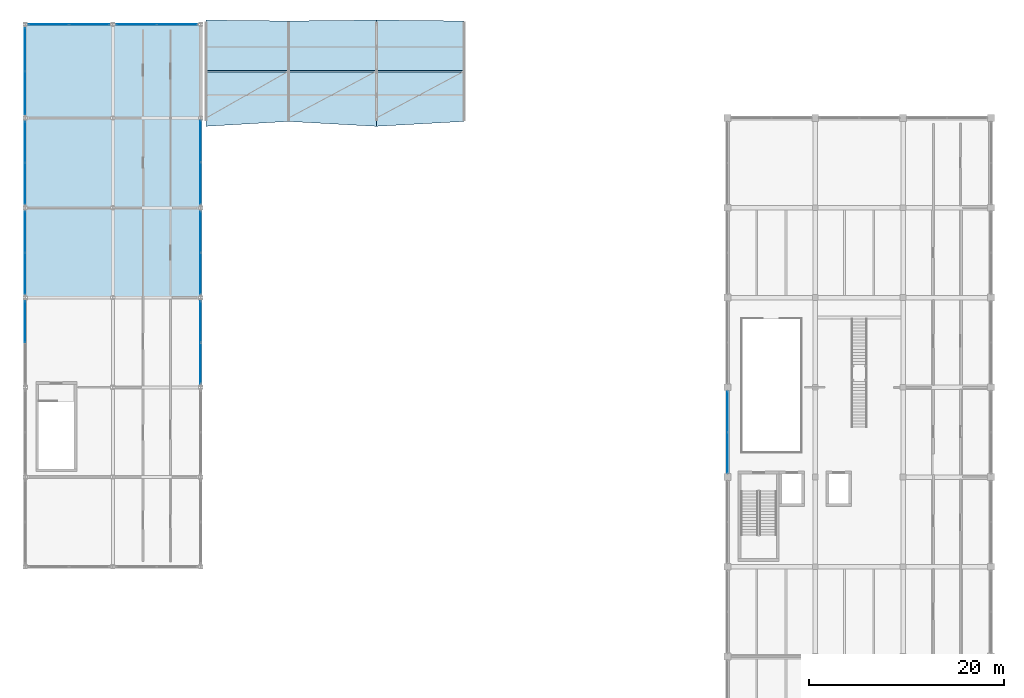
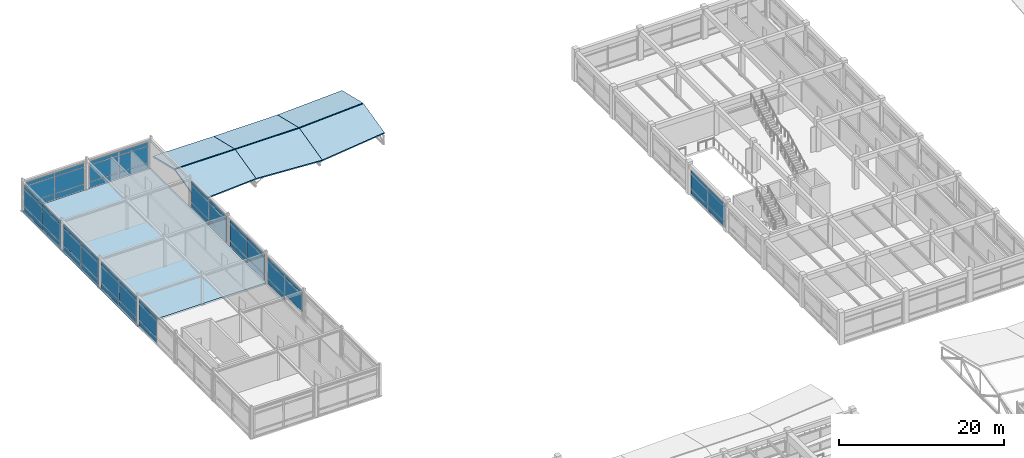
# One storey, part 56 of 90: 56 plates, 7 slabs, 10 elements without a shape of their own.
"""IFC4 building model written with IfcOpenShell, lengths in metres."""

from ifc_helpers import new_model, si_unit, direction, frame, origin, origin_2d, place, context, subcontext, project, spatial, polyline, rectangle, outline, extrude, material, layer, layer_set, type_object, element, aggregate, save


model = new_model("IFC4")

# Units and contexts
model_context = context("Model", 3, precision=1e-05, world=origin(), true_north=direction((0.0, 1.0)))
body_context = subcontext(model_context, "Body", "Model", "MODEL_VIEW")
ifc_project = project(units=[si_unit("LENGTHUNIT", "METRE"), si_unit("AREAUNIT", "SQUARE_METRE"), si_unit("VOLUMEUNIT", "CUBIC_METRE"), si_unit("PLANEANGLEUNIT", "RADIAN"), si_unit("MASSUNIT", "GRAM", prefix="KILO")], contexts=[model_context])

# Site, building, storey
site_placement = place(None, origin())
site = spatial("IfcSite", under=ifc_project, at=site_placement, CompositionType="ELEMENT")
building_placement = place(site_placement, origin())
building = spatial("IfcBuilding", under=site, at=building_placement, Name="Bozkorgan Art Gallery", CompositionType="ELEMENT")
storey_placement = place(building_placement, frame((0.0, 0.0, 5.39990234375)))
storey = spatial("IfcBuildingStorey", under=building, at=storey_placement, Name="L01", CompositionType="ELEMENT", Elevation=5.39990234375)

# Curtain wall, plates
ifc_material_1 = material(Name="Anodised Bronze Aluminium", Category="aluminium")
curtain_wall_type_1 = type_object("IfcCurtainWallType", Name="CW-CW-74", PredefinedType="NOTDEFINED", material=ifc_material_1)
curtain_wall_1_placement = place(storey_placement, origin())
curtain_wall_1 = element("IfcCurtainWall", 1, at=curtain_wall_1_placement, inside=storey, type_object=curtain_wall_type_1, Name="L01 unitised curtain wall CW-V2-L01-1N-02", PredefinedType="NOTDEFINED")
ifc_material_2 = material(Name="Triple Low-E Laminated Glass", Category="glass")
ifc_layer_1 = layer(ifc_material_2, 0.0439453125, Name="Triple Low-E Laminated Glass")
ifc_layer_set_1 = layer_set([ifc_layer_1], Name="Triple Low-E Laminated Glass")
plate_type = type_object("IfcPlateType", Name="CWP-GLZ", PredefinedType="CURTAIN_PANEL", material=ifc_layer_set_1)
plate_1_placement = place(storey_placement, frame((4.42626953125, 112.39990234375, 0.10009765625), z_axis=(0.0, 0.0, 1.0), x_axis=(1.0, 0.0, 0.0)))
plate_1 = element("IfcPlate", 2, at=plate_1_placement, type_object=plate_type, Name="CW-74 panel 1.1", PredefinedType="CURTAIN_PANEL", context=body_context, shape_type="SweptSolid", body=[
    extrude(rectangle(XDim=4.072509765625, YDim=0.0439453125, at=origin_2d()), origin(), (0.0, 0.0, 1.0), 0.780029296875),
])
plate_2_placement = place(storey_placement, frame((4.42626953125, 112.39990234375, 0.9599609375), z_axis=(0.0, 0.0, 1.0), x_axis=(1.0, 0.0, 0.0)))
plate_2 = element("IfcPlate", 3, at=plate_2_placement, type_object=plate_type, Name="CW-74 panel 1.2", PredefinedType="CURTAIN_PANEL", context=body_context, shape_type="SweptSolid", body=[
    extrude(rectangle(XDim=4.072509765625, YDim=0.0439453125, at=origin_2d()), origin(), (0.0, 0.0, 1.0), 2.445068359375),
])
plate_3_placement = place(storey_placement, frame((4.42626953125, 112.39990234375, 3.48486328125), z_axis=(0.0, 0.0, 1.0), x_axis=(1.0, 0.0, 0.0)))
plate_3 = element("IfcPlate", 4, at=plate_3_placement, type_object=plate_type, Name="CW-74 panel 1.3", PredefinedType="CURTAIN_PANEL", context=body_context, shape_type="SweptSolid", body=[
    extrude(rectangle(XDim=4.072509765625, YDim=0.0439453125, at=origin_2d()), origin(), (0.0, 0.0, 1.0), 0.530029296875),
])
plate_4_placement = place(storey_placement, frame((8.57373046875, 112.39990234375, 0.10009765625), z_axis=(0.0, 0.0, 1.0), x_axis=(1.0, 0.0, 0.0)))
plate_4 = element("IfcPlate", 5, at=plate_4_placement, type_object=plate_type, Name="CW-74 panel 2.1", PredefinedType="CURTAIN_PANEL", context=body_context, shape_type="SweptSolid", body=[
    extrude(rectangle(XDim=4.072509765625, YDim=0.0439453125, at=origin_2d()), origin(), (0.0, 0.0, 1.0), 0.780029296875),
])
plate_5_placement = place(storey_placement, frame((8.57373046875, 112.39990234375, 0.9599609375), z_axis=(0.0, 0.0, 1.0), x_axis=(1.0, 0.0, 0.0)))
plate_5 = element("IfcPlate", 6, at=plate_5_placement, type_object=plate_type, Name="CW-74 panel 2.2", PredefinedType="CURTAIN_PANEL", context=body_context, shape_type="SweptSolid", body=[
    extrude(rectangle(XDim=4.072509765625, YDim=0.0439453125, at=origin_2d()), origin(), (0.0, 0.0, 1.0), 2.445068359375),
])
plate_6_placement = place(storey_placement, frame((8.57373046875, 112.39990234375, 3.48486328125), z_axis=(0.0, 0.0, 1.0), x_axis=(1.0, 0.0, 0.0)))
plate_6 = element("IfcPlate", 7, at=plate_6_placement, type_object=plate_type, Name="CW-74 panel 2.3", PredefinedType="CURTAIN_PANEL", context=body_context, shape_type="SweptSolid", body=[
    extrude(rectangle(XDim=4.072509765625, YDim=0.0439453125, at=origin_2d()), origin(), (0.0, 0.0, 1.0), 0.530029296875),
])
aggregate(curtain_wall_1, [plate_1, plate_2, plate_3, plate_4, plate_5, plate_6])

curtain_wall_2_placement = place(storey_placement, origin())
curtain_wall_2 = element("IfcCurtainWall", 8, at=curtain_wall_2_placement, inside=storey, type_object=curtain_wall_type_1, Name="L01 unitised curtain wall CW-V2-L01-1N-04", PredefinedType="NOTDEFINED")
plate_7_placement = place(storey_placement, frame((13.42626953125, 112.39990234375, 0.10009765625), z_axis=(0.0, 0.0, 1.0), x_axis=(1.0, 0.0, 0.0)))
plate_7 = element("IfcPlate", 9, at=plate_7_placement, type_object=plate_type, Name="CW-74 panel 1.1", PredefinedType="CURTAIN_PANEL", context=body_context, shape_type="SweptSolid", body=[
    extrude(rectangle(XDim=4.072509765625, YDim=0.0439453125, at=origin_2d()), origin(), (0.0, 0.0, 1.0), 0.780029296875),
])
plate_8_placement = place(storey_placement, frame((13.42626953125, 112.39990234375, 0.9599609375), z_axis=(0.0, 0.0, 1.0), x_axis=(1.0, 0.0, 0.0)))
plate_8 = element("IfcPlate", 10, at=plate_8_placement, type_object=plate_type, Name="CW-74 panel 1.2", PredefinedType="CURTAIN_PANEL", context=body_context, shape_type="SweptSolid", body=[
    extrude(rectangle(XDim=4.072509765625, YDim=0.0439453125, at=origin_2d()), origin(), (0.0, 0.0, 1.0), 2.445068359375),
])
plate_9_placement = place(storey_placement, frame((13.42626953125, 112.39990234375, 3.48486328125), z_axis=(0.0, 0.0, 1.0), x_axis=(1.0, 0.0, 0.0)))
plate_9 = element("IfcPlate", 11, at=plate_9_placement, type_object=plate_type, Name="CW-74 panel 1.3", PredefinedType="CURTAIN_PANEL", context=body_context, shape_type="SweptSolid", body=[
    extrude(rectangle(XDim=4.072509765625, YDim=0.0439453125, at=origin_2d()), origin(), (0.0, 0.0, 1.0), 0.530029296875),
])
plate_10_placement = place(storey_placement, frame((17.57373046875, 112.39990234375, 0.10009765625), z_axis=(0.0, 0.0, 1.0), x_axis=(1.0, 0.0, 0.0)))
plate_10 = element("IfcPlate", 12, at=plate_10_placement, type_object=plate_type, Name="CW-74 panel 2.1", PredefinedType="CURTAIN_PANEL", context=body_context, shape_type="SweptSolid", body=[
    extrude(rectangle(XDim=4.072509765625, YDim=0.0439453125, at=origin_2d()), origin(), (0.0, 0.0, 1.0), 0.780029296875),
])
plate_11_placement = place(storey_placement, frame((17.57373046875, 112.39990234375, 0.9599609375), z_axis=(0.0, 0.0, 1.0), x_axis=(1.0, 0.0, 0.0)))
plate_11 = element("IfcPlate", 13, at=plate_11_placement, type_object=plate_type, Name="CW-74 panel 2.2", PredefinedType="CURTAIN_PANEL", context=body_context, shape_type="SweptSolid", body=[
    extrude(rectangle(XDim=4.072509765625, YDim=0.0439453125, at=origin_2d()), origin(), (0.0, 0.0, 1.0), 2.445068359375),
])
plate_12_placement = place(storey_placement, frame((17.57373046875, 112.39990234375, 3.48486328125), z_axis=(0.0, 0.0, 1.0), x_axis=(1.0, 0.0, 0.0)))
plate_12 = element("IfcPlate", 14, at=plate_12_placement, type_object=plate_type, Name="CW-74 panel 2.3", PredefinedType="CURTAIN_PANEL", context=body_context, shape_type="SweptSolid", body=[
    extrude(rectangle(XDim=4.072509765625, YDim=0.0439453125, at=origin_2d()), origin(), (0.0, 0.0, 1.0), 0.530029296875),
])
aggregate(curtain_wall_2, [plate_7, plate_8, plate_9, plate_10, plate_11, plate_12])

curtain_wall_type_2 = type_object("IfcCurtainWallType", Name="CW-CW-52", PredefinedType="NOTDEFINED", material=ifc_material_1)
curtain_wall_3_placement = place(storey_placement, origin())
curtain_wall_3 = element("IfcCurtainWall", 15, at=curtain_wall_3_placement, inside=storey, type_object=curtain_wall_type_2, Name="L01 unitised curtain wall CW-V2-L01-1W-09", PredefinedType="NOTDEFINED")
plate_13_placement = place(storey_placement, frame((2.0, 81.923828125, 0.10009765625), z_axis=(0.0, 0.0, 1.0), x_axis=(0.0, 1.0, 0.0)))
plate_13 = element("IfcPlate", 16, at=plate_13_placement, type_object=plate_type, Name="CW-52 panel 2.1", PredefinedType="CURTAIN_PANEL", context=body_context, shape_type="SweptSolid", body=[
    extrude(rectangle(XDim=4.172607421875, YDim=0.0439453125, at=origin_2d()), origin(), (0.0, 0.0, 1.0), 0.780029296875),
])
plate_14_placement = place(storey_placement, frame((2.0, 81.923828125, 0.9599609375), z_axis=(0.0, 0.0, 1.0), x_axis=(0.0, 1.0, 0.0)))
plate_14 = element("IfcPlate", 17, at=plate_14_placement, type_object=plate_type, Name="CW-52 panel 2.2", PredefinedType="CURTAIN_PANEL", context=body_context, shape_type="SweptSolid", body=[
    extrude(rectangle(XDim=4.172607421875, YDim=0.0439453125, at=origin_2d()), origin(), (0.0, 0.0, 1.0), 2.445068359375),
])
plate_15_placement = place(storey_placement, frame((2.0, 81.923828125, 3.48486328125), z_axis=(0.0, 0.0, 1.0), x_axis=(0.0, 1.0, 0.0)))
plate_15 = element("IfcPlate", 18, at=plate_15_placement, type_object=plate_type, Name="CW-52 panel 2.3", PredefinedType="CURTAIN_PANEL", context=body_context, shape_type="SweptSolid", body=[
    extrude(rectangle(XDim=4.172607421875, YDim=0.0439453125, at=origin_2d()), origin(), (0.0, 0.0, 1.0), 0.530029296875),
])
aggregate(curtain_wall_3, [plate_13, plate_14, plate_15])

curtain_wall_4_placement = place(storey_placement, origin())
curtain_wall_4 = element("IfcCurtainWall", 19, at=curtain_wall_4_placement, inside=storey, type_object=curtain_wall_type_2, Name="L01 unitised curtain wall CW-V2-L01-1E-10", PredefinedType="NOTDEFINED")
plate_16_placement = place(storey_placement, frame((20.0, 77.67626953125, 0.9599609375), z_axis=(0.0, 0.0, 1.0), x_axis=(0.0, 1.0, 0.0)))
plate_16 = element("IfcPlate", 20, at=plate_16_placement, type_object=plate_type, Name="CW-52 panel 1.2", PredefinedType="CURTAIN_PANEL", context=body_context, shape_type="SweptSolid", body=[
    extrude(rectangle(XDim=4.172607421875, YDim=0.0439453125, at=origin_2d()), origin(), (0.0, 0.0, 1.0), 2.445068359375),
])
plate_17_placement = place(storey_placement, frame((20.0, 77.67626953125, 3.48486328125), z_axis=(0.0, 0.0, 1.0), x_axis=(0.0, 1.0, 0.0)))
plate_17 = element("IfcPlate", 21, at=plate_17_placement, type_object=plate_type, Name="CW-52 panel 1.3", PredefinedType="CURTAIN_PANEL", context=body_context, shape_type="SweptSolid", body=[
    extrude(rectangle(XDim=4.172607421875, YDim=0.0439453125, at=origin_2d()), origin(), (0.0, 0.0, 1.0), 0.530029296875),
])
plate_18_placement = place(storey_placement, frame((20.0, 81.923828125, 0.10009765625), z_axis=(0.0, 0.0, 1.0), x_axis=(0.0, 1.0, 0.0)))
plate_18 = element("IfcPlate", 22, at=plate_18_placement, type_object=plate_type, Name="CW-52 panel 2.1", PredefinedType="CURTAIN_PANEL", context=body_context, shape_type="SweptSolid", body=[
    extrude(rectangle(XDim=4.172607421875, YDim=0.0439453125, at=origin_2d()), origin(), (0.0, 0.0, 1.0), 0.780029296875),
])
plate_19_placement = place(storey_placement, frame((20.0, 81.923828125, 0.9599609375), z_axis=(0.0, 0.0, 1.0), x_axis=(0.0, 1.0, 0.0)))
plate_19 = element("IfcPlate", 23, at=plate_19_placement, type_object=plate_type, Name="CW-52 panel 2.2", PredefinedType="CURTAIN_PANEL", context=body_context, shape_type="SweptSolid", body=[
    extrude(rectangle(XDim=4.172607421875, YDim=0.0439453125, at=origin_2d()), origin(), (0.0, 0.0, 1.0), 2.445068359375),
])
plate_20_placement = place(storey_placement, frame((20.0, 81.923828125, 3.48486328125), z_axis=(0.0, 0.0, 1.0), x_axis=(0.0, 1.0, 0.0)))
plate_20 = element("IfcPlate", 24, at=plate_20_placement, type_object=plate_type, Name="CW-52 panel 2.3", PredefinedType="CURTAIN_PANEL", context=body_context, shape_type="SweptSolid", body=[
    extrude(rectangle(XDim=4.172607421875, YDim=0.0439453125, at=origin_2d()), origin(), (0.0, 0.0, 1.0), 0.530029296875),
])
aggregate(curtain_wall_4, [plate_16, plate_17, plate_18, plate_19, plate_20])

curtain_wall_5_placement = place(storey_placement, origin())
curtain_wall_5 = element("IfcCurtainWall", 25, at=curtain_wall_5_placement, inside=storey, type_object=curtain_wall_type_2, Name="L01 unitised curtain wall CW-V2-L01-1W-11", PredefinedType="NOTDEFINED")
plate_21_placement = place(storey_placement, frame((2.0, 86.876220703125, 0.10009765625), z_axis=(0.0, 0.0, 1.0), x_axis=(0.0, 1.0, 0.0)))
plate_21 = element("IfcPlate", 26, at=plate_21_placement, type_object=plate_type, Name="CW-52 panel 1.1", PredefinedType="CURTAIN_PANEL", context=body_context, shape_type="SweptSolid", body=[
    extrude(rectangle(XDim=4.172607421875, YDim=0.0439453125, at=origin_2d()), origin(), (0.0, 0.0, 1.0), 0.780029296875),
])
plate_22_placement = place(storey_placement, frame((2.0, 86.876220703125, 0.9599609375), z_axis=(0.0, 0.0, 1.0), x_axis=(0.0, 1.0, 0.0)))
plate_22 = element("IfcPlate", 27, at=plate_22_placement, type_object=plate_type, Name="CW-52 panel 1.2", PredefinedType="CURTAIN_PANEL", context=body_context, shape_type="SweptSolid", body=[
    extrude(rectangle(XDim=4.172607421875, YDim=0.0439453125, at=origin_2d()), origin(), (0.0, 0.0, 1.0), 2.445068359375),
])
plate_23_placement = place(storey_placement, frame((2.0, 86.876220703125, 3.48486328125), z_axis=(0.0, 0.0, 1.0), x_axis=(0.0, 1.0, 0.0)))
plate_23 = element("IfcPlate", 28, at=plate_23_placement, type_object=plate_type, Name="CW-52 panel 1.3", PredefinedType="CURTAIN_PANEL", context=body_context, shape_type="SweptSolid", body=[
    extrude(rectangle(XDim=4.172607421875, YDim=0.0439453125, at=origin_2d()), origin(), (0.0, 0.0, 1.0), 0.530029296875),
])
plate_24_placement = place(storey_placement, frame((2.0, 91.123779296875, 0.10009765625), z_axis=(0.0, 0.0, 1.0), x_axis=(0.0, 1.0, 0.0)))
plate_24 = element("IfcPlate", 29, at=plate_24_placement, type_object=plate_type, Name="CW-52 panel 2.1", PredefinedType="CURTAIN_PANEL", context=body_context, shape_type="SweptSolid", body=[
    extrude(rectangle(XDim=4.172607421875, YDim=0.0439453125, at=origin_2d()), origin(), (0.0, 0.0, 1.0), 0.780029296875),
])
plate_25_placement = place(storey_placement, frame((2.0, 91.123779296875, 0.9599609375), z_axis=(0.0, 0.0, 1.0), x_axis=(0.0, 1.0, 0.0)))
plate_25 = element("IfcPlate", 30, at=plate_25_placement, type_object=plate_type, Name="CW-52 panel 2.2", PredefinedType="CURTAIN_PANEL", context=body_context, shape_type="SweptSolid", body=[
    extrude(rectangle(XDim=4.172607421875, YDim=0.0439453125, at=origin_2d()), origin(), (0.0, 0.0, 1.0), 2.445068359375),
])
plate_26_placement = place(storey_placement, frame((2.0, 91.123779296875, 3.48486328125), z_axis=(0.0, 0.0, 1.0), x_axis=(0.0, 1.0, 0.0)))
plate_26 = element("IfcPlate", 31, at=plate_26_placement, type_object=plate_type, Name="CW-52 panel 2.3", PredefinedType="CURTAIN_PANEL", context=body_context, shape_type="SweptSolid", body=[
    extrude(rectangle(XDim=4.172607421875, YDim=0.0439453125, at=origin_2d()), origin(), (0.0, 0.0, 1.0), 0.530029296875),
])
aggregate(curtain_wall_5, [plate_21, plate_22, plate_23, plate_24, plate_25, plate_26])

curtain_wall_6_placement = place(storey_placement, origin())
curtain_wall_6 = element("IfcCurtainWall", 32, at=curtain_wall_6_placement, inside=storey, type_object=curtain_wall_type_2, Name="L01 unitised curtain wall CW-V2-L01-1E-12", PredefinedType="NOTDEFINED")
plate_27_placement = place(storey_placement, frame((20.0, 86.876220703125, 0.10009765625), z_axis=(0.0, 0.0, 1.0), x_axis=(0.0, 1.0, 0.0)))
plate_27 = element("IfcPlate", 33, at=plate_27_placement, type_object=plate_type, Name="CW-52 panel 1.1", PredefinedType="CURTAIN_PANEL", context=body_context, shape_type="SweptSolid", body=[
    extrude(rectangle(XDim=4.172607421875, YDim=0.0439453125, at=origin_2d()), origin(), (0.0, 0.0, 1.0), 0.780029296875),
])
plate_28_placement = place(storey_placement, frame((20.0, 86.876220703125, 0.9599609375), z_axis=(0.0, 0.0, 1.0), x_axis=(0.0, 1.0, 0.0)))
plate_28 = element("IfcPlate", 34, at=plate_28_placement, type_object=plate_type, Name="CW-52 panel 1.2", PredefinedType="CURTAIN_PANEL", context=body_context, shape_type="SweptSolid", body=[
    extrude(rectangle(XDim=4.172607421875, YDim=0.0439453125, at=origin_2d()), origin(), (0.0, 0.0, 1.0), 2.445068359375),
])
plate_29_placement = place(storey_placement, frame((20.0, 86.876220703125, 3.48486328125), z_axis=(0.0, 0.0, 1.0), x_axis=(0.0, 1.0, 0.0)))
plate_29 = element("IfcPlate", 35, at=plate_29_placement, type_object=plate_type, Name="CW-52 panel 1.3", PredefinedType="CURTAIN_PANEL", context=body_context, shape_type="SweptSolid", body=[
    extrude(rectangle(XDim=4.172607421875, YDim=0.0439453125, at=origin_2d()), origin(), (0.0, 0.0, 1.0), 0.530029296875),
])
plate_30_placement = place(storey_placement, frame((20.0, 91.123779296875, 0.10009765625), z_axis=(0.0, 0.0, 1.0), x_axis=(0.0, 1.0, 0.0)))
plate_30 = element("IfcPlate", 36, at=plate_30_placement, type_object=plate_type, Name="CW-52 panel 2.1", PredefinedType="CURTAIN_PANEL", context=body_context, shape_type="SweptSolid", body=[
    extrude(rectangle(XDim=4.172607421875, YDim=0.0439453125, at=origin_2d()), origin(), (0.0, 0.0, 1.0), 0.780029296875),
])
plate_31_placement = place(storey_placement, frame((20.0, 91.123779296875, 0.9599609375), z_axis=(0.0, 0.0, 1.0), x_axis=(0.0, 1.0, 0.0)))
plate_31 = element("IfcPlate", 37, at=plate_31_placement, type_object=plate_type, Name="CW-52 panel 2.2", PredefinedType="CURTAIN_PANEL", context=body_context, shape_type="SweptSolid", body=[
    extrude(rectangle(XDim=4.172607421875, YDim=0.0439453125, at=origin_2d()), origin(), (0.0, 0.0, 1.0), 2.445068359375),
])
plate_32_placement = place(storey_placement, frame((20.0, 91.123779296875, 3.48486328125), z_axis=(0.0, 0.0, 1.0), x_axis=(0.0, 1.0, 0.0)))
plate_32 = element("IfcPlate", 38, at=plate_32_placement, type_object=plate_type, Name="CW-52 panel 2.3", PredefinedType="CURTAIN_PANEL", context=body_context, shape_type="SweptSolid", body=[
    extrude(rectangle(XDim=4.172607421875, YDim=0.0439453125, at=origin_2d()), origin(), (0.0, 0.0, 1.0), 0.530029296875),
])
aggregate(curtain_wall_6, [plate_27, plate_28, plate_29, plate_30, plate_31, plate_32])

curtain_wall_7_placement = place(storey_placement, origin())
curtain_wall_7 = element("IfcCurtainWall", 39, at=curtain_wall_7_placement, inside=storey, type_object=curtain_wall_type_2, Name="L01 unitised curtain wall CW-V2-L01-1W-13", PredefinedType="NOTDEFINED")
plate_33_placement = place(storey_placement, frame((2.0, 96.076171875, 0.10009765625), z_axis=(0.0, 0.0, 1.0), x_axis=(0.0, 1.0, 0.0)))
plate_33 = element("IfcPlate", 40, at=plate_33_placement, type_object=plate_type, Name="CW-52 panel 1.1", PredefinedType="CURTAIN_PANEL", context=body_context, shape_type="SweptSolid", body=[
    extrude(rectangle(XDim=4.172607421875, YDim=0.0439453125, at=origin_2d()), origin(), (0.0, 0.0, 1.0), 0.780029296875),
])
plate_34_placement = place(storey_placement, frame((2.0, 96.076171875, 0.9599609375), z_axis=(0.0, 0.0, 1.0), x_axis=(0.0, 1.0, 0.0)))
plate_34 = element("IfcPlate", 41, at=plate_34_placement, type_object=plate_type, Name="CW-52 panel 1.2", PredefinedType="CURTAIN_PANEL", context=body_context, shape_type="SweptSolid", body=[
    extrude(rectangle(XDim=4.172607421875, YDim=0.0439453125, at=origin_2d()), origin(), (0.0, 0.0, 1.0), 2.445068359375),
])
plate_35_placement = place(storey_placement, frame((2.0, 96.076171875, 3.48486328125), z_axis=(0.0, 0.0, 1.0), x_axis=(0.0, 1.0, 0.0)))
plate_35 = element("IfcPlate", 42, at=plate_35_placement, type_object=plate_type, Name="CW-52 panel 1.3", PredefinedType="CURTAIN_PANEL", context=body_context, shape_type="SweptSolid", body=[
    extrude(rectangle(XDim=4.172607421875, YDim=0.0439453125, at=origin_2d()), origin(), (0.0, 0.0, 1.0), 0.530029296875),
])
plate_36_placement = place(storey_placement, frame((2.0, 100.32373046875, 0.10009765625), z_axis=(0.0, 0.0, 1.0), x_axis=(0.0, 1.0, 0.0)))
plate_36 = element("IfcPlate", 43, at=plate_36_placement, type_object=plate_type, Name="CW-52 panel 2.1", PredefinedType="CURTAIN_PANEL", context=body_context, shape_type="SweptSolid", body=[
    extrude(rectangle(XDim=4.172607421875, YDim=0.0439453125, at=origin_2d()), origin(), (0.0, 0.0, 1.0), 0.780029296875),
])
plate_37_placement = place(storey_placement, frame((2.0, 100.32373046875, 0.9599609375), z_axis=(0.0, 0.0, 1.0), x_axis=(0.0, 1.0, 0.0)))
plate_37 = element("IfcPlate", 44, at=plate_37_placement, type_object=plate_type, Name="CW-52 panel 2.2", PredefinedType="CURTAIN_PANEL", context=body_context, shape_type="SweptSolid", body=[
    extrude(rectangle(XDim=4.172607421875, YDim=0.0439453125, at=origin_2d()), origin(), (0.0, 0.0, 1.0), 2.445068359375),
])
plate_38_placement = place(storey_placement, frame((2.0, 100.32373046875, 3.48486328125), z_axis=(0.0, 0.0, 1.0), x_axis=(0.0, 1.0, 0.0)))
plate_38 = element("IfcPlate", 45, at=plate_38_placement, type_object=plate_type, Name="CW-52 panel 2.3", PredefinedType="CURTAIN_PANEL", context=body_context, shape_type="SweptSolid", body=[
    extrude(rectangle(XDim=4.172607421875, YDim=0.0439453125, at=origin_2d()), origin(), (0.0, 0.0, 1.0), 0.530029296875),
])
aggregate(curtain_wall_7, [plate_33, plate_34, plate_35, plate_36, plate_37, plate_38])

curtain_wall_type_3 = type_object("IfcCurtainWallType", Name="CW-CW-36", PredefinedType="NOTDEFINED", material=ifc_material_1)
curtain_wall_8_placement = place(storey_placement, origin())
curtain_wall_8 = element("IfcCurtainWall", 46, at=curtain_wall_8_placement, inside=storey, type_object=curtain_wall_type_3, Name="L01 unitised curtain wall CW-V2-L01-1E-14", PredefinedType="NOTDEFINED")
plate_39_placement = place(storey_placement, frame((20.0, 96.108642578125, 0.10009765625), z_axis=(0.0, 0.0, 1.0), x_axis=(0.0, 1.0, 0.0)))
plate_39 = element("IfcPlate", 47, at=plate_39_placement, type_object=plate_type, Name="CW-36 panel 1.1", PredefinedType="CURTAIN_PANEL", context=body_context, shape_type="SweptSolid", body=[
    extrude(rectangle(XDim=4.237548828125, YDim=0.0439453125, at=origin_2d()), origin(), (0.0, 0.0, 1.0), 0.780029296875),
])
plate_40_placement = place(storey_placement, frame((20.0, 96.108642578125, 0.9599609375), z_axis=(0.0, 0.0, 1.0), x_axis=(0.0, 1.0, 0.0)))
plate_40 = element("IfcPlate", 48, at=plate_40_placement, type_object=plate_type, Name="CW-36 panel 1.2", PredefinedType="CURTAIN_PANEL", context=body_context, shape_type="SweptSolid", body=[
    extrude(rectangle(XDim=4.237548828125, YDim=0.0439453125, at=origin_2d()), origin(), (0.0, 0.0, 1.0), 2.445068359375),
])
plate_41_placement = place(storey_placement, frame((20.0, 96.108642578125, 3.48486328125), z_axis=(0.0, 0.0, 1.0), x_axis=(0.0, 1.0, 0.0)))
plate_41 = element("IfcPlate", 49, at=plate_41_placement, type_object=plate_type, Name="CW-36 panel 1.3", PredefinedType="CURTAIN_PANEL", context=body_context, shape_type="SweptSolid", body=[
    extrude(rectangle(XDim=4.237548828125, YDim=0.0439453125, at=origin_2d()), origin(), (0.0, 0.0, 1.0), 0.530029296875),
])
plate_42_placement = place(storey_placement, frame((20.0, 100.421142578125, 0.10009765625), z_axis=(0.0, 0.0, 1.0), x_axis=(0.0, 1.0, 0.0)))
plate_42 = element("IfcPlate", 50, at=plate_42_placement, type_object=plate_type, Name="CW-36 panel 2.1", PredefinedType="CURTAIN_PANEL", context=body_context, shape_type="SweptSolid", body=[
    extrude(rectangle(XDim=4.237548828125, YDim=0.0439453125, at=origin_2d()), origin(), (0.0, 0.0, 1.0), 0.780029296875),
])
plate_43_placement = place(storey_placement, frame((20.0, 100.421142578125, 0.9599609375), z_axis=(0.0, 0.0, 1.0), x_axis=(0.0, 1.0, 0.0)))
plate_43 = element("IfcPlate", 51, at=plate_43_placement, type_object=plate_type, Name="CW-36 panel 2.2", PredefinedType="CURTAIN_PANEL", context=body_context, shape_type="SweptSolid", body=[
    extrude(rectangle(XDim=4.237548828125, YDim=0.0439453125, at=origin_2d()), origin(), (0.0, 0.0, 1.0), 2.445068359375),
])
plate_44_placement = place(storey_placement, frame((20.0, 100.421142578125, 3.48486328125), z_axis=(0.0, 0.0, 1.0), x_axis=(0.0, 1.0, 0.0)))
plate_44 = element("IfcPlate", 52, at=plate_44_placement, type_object=plate_type, Name="CW-36 panel 2.3", PredefinedType="CURTAIN_PANEL", context=body_context, shape_type="SweptSolid", body=[
    extrude(rectangle(XDim=4.237548828125, YDim=0.0439453125, at=origin_2d()), origin(), (0.0, 0.0, 1.0), 0.530029296875),
])
aggregate(curtain_wall_8, [plate_39, plate_40, plate_41, plate_42, plate_43, plate_44])

curtain_wall_type_4 = type_object("IfcCurtainWallType", Name="CW-CW-76", PredefinedType="NOTDEFINED", material=ifc_material_1)
curtain_wall_9_placement = place(storey_placement, origin())
curtain_wall_9 = element("IfcCurtainWall", 53, at=curtain_wall_9_placement, inside=storey, type_object=curtain_wall_type_4, Name="L01 unitised curtain wall CW-V2-L01-1W-15", PredefinedType="NOTDEFINED")
plate_45_placement = place(storey_placement, frame((2.0, 105.376220703125, 0.10009765625), z_axis=(0.0, 0.0, 1.0), x_axis=(0.0, 1.0, 0.0)))
plate_45 = element("IfcPlate", 54, at=plate_45_placement, type_object=plate_type, Name="CW-76 panel 1.1", PredefinedType="CURTAIN_PANEL", context=body_context, shape_type="SweptSolid", body=[
    extrude(rectangle(XDim=4.37255859375, YDim=0.0439453125, at=origin_2d()), origin(), (0.0, 0.0, 1.0), 0.780029296875),
])
plate_46_placement = place(storey_placement, frame((2.0, 105.376220703125, 0.9599609375), z_axis=(0.0, 0.0, 1.0), x_axis=(0.0, 1.0, 0.0)))
plate_46 = element("IfcPlate", 55, at=plate_46_placement, type_object=plate_type, Name="CW-76 panel 1.2", PredefinedType="CURTAIN_PANEL", context=body_context, shape_type="SweptSolid", body=[
    extrude(rectangle(XDim=4.37255859375, YDim=0.0439453125, at=origin_2d()), origin(), (0.0, 0.0, 1.0), 2.445068359375),
])
plate_47_placement = place(storey_placement, frame((2.0, 105.376220703125, 3.48486328125), z_axis=(0.0, 0.0, 1.0), x_axis=(0.0, 1.0, 0.0)))
plate_47 = element("IfcPlate", 56, at=plate_47_placement, type_object=plate_type, Name="CW-76 panel 1.3", PredefinedType="CURTAIN_PANEL", context=body_context, shape_type="SweptSolid", body=[
    extrude(rectangle(XDim=4.37255859375, YDim=0.0439453125, at=origin_2d()), origin(), (0.0, 0.0, 1.0), 0.530029296875),
])
plate_48_placement = place(storey_placement, frame((2.0, 109.82373046875, 0.10009765625), z_axis=(0.0, 0.0, 1.0), x_axis=(0.0, 1.0, 0.0)))
plate_48 = element("IfcPlate", 57, at=plate_48_placement, type_object=plate_type, Name="CW-76 panel 2.1", PredefinedType="CURTAIN_PANEL", context=body_context, shape_type="SweptSolid", body=[
    extrude(rectangle(XDim=4.37255859375, YDim=0.0439453125, at=origin_2d()), origin(), (0.0, 0.0, 1.0), 0.780029296875),
])
plate_49_placement = place(storey_placement, frame((2.0, 109.82373046875, 0.9599609375), z_axis=(0.0, 0.0, 1.0), x_axis=(0.0, 1.0, 0.0)))
plate_49 = element("IfcPlate", 58, at=plate_49_placement, type_object=plate_type, Name="CW-76 panel 2.2", PredefinedType="CURTAIN_PANEL", context=body_context, shape_type="SweptSolid", body=[
    extrude(rectangle(XDim=4.37255859375, YDim=0.0439453125, at=origin_2d()), origin(), (0.0, 0.0, 1.0), 2.445068359375),
])
plate_50_placement = place(storey_placement, frame((2.0, 109.82373046875, 3.48486328125), z_axis=(0.0, 0.0, 1.0), x_axis=(0.0, 1.0, 0.0)))
plate_50 = element("IfcPlate", 59, at=plate_50_placement, type_object=plate_type, Name="CW-76 panel 2.3", PredefinedType="CURTAIN_PANEL", context=body_context, shape_type="SweptSolid", body=[
    extrude(rectangle(XDim=4.37255859375, YDim=0.0439453125, at=origin_2d()), origin(), (0.0, 0.0, 1.0), 0.530029296875),
])
aggregate(curtain_wall_9, [plate_45, plate_46, plate_47, plate_48, plate_49, plate_50])

curtain_wall_type_5 = type_object("IfcCurtainWallType", Name="CW-CW-24", PredefinedType="NOTDEFINED", material=ifc_material_1)
curtain_wall_10_placement = place(storey_placement, origin())
curtain_wall_10 = element("IfcCurtainWall", 60, at=curtain_wall_10_placement, inside=storey, type_object=curtain_wall_type_5, Name="L01 unitised curtain wall CW-V4-L01-1W-13", PredefinedType="NOTDEFINED")
plate_51_placement = place(storey_placement, frame((74.0, 68.501220703125, 0.10009765625), z_axis=(0.0, 0.0, 1.0), x_axis=(0.0, 1.0, 0.0)))
plate_51 = element("IfcPlate", 61, at=plate_51_placement, type_object=plate_type, Name="CW-24 panel 1.1", PredefinedType="CURTAIN_PANEL", context=body_context, shape_type="SweptSolid", body=[
    extrude(rectangle(XDim=4.12255859375, YDim=0.0439453125, at=origin_2d()), origin(), (0.0, 0.0, 1.0), 0.780029296875),
])
plate_52_placement = place(storey_placement, frame((74.0, 68.501220703125, 0.960205078125), z_axis=(0.0, 0.0, 1.0), x_axis=(0.0, 1.0, 0.0)))
plate_52 = element("IfcPlate", 62, at=plate_52_placement, type_object=plate_type, Name="CW-24 panel 1.2", PredefinedType="CURTAIN_PANEL", context=body_context, shape_type="SweptSolid", body=[
    extrude(rectangle(XDim=4.12255859375, YDim=0.0439453125, at=origin_2d()), origin(), (0.0, 0.0, 1.0), 2.125),
])
plate_53_placement = place(storey_placement, frame((74.0, 68.501220703125, 3.1650390625), z_axis=(0.0, 0.0, 1.0), x_axis=(0.0, 1.0, 0.0)))
plate_53 = element("IfcPlate", 63, at=plate_53_placement, type_object=plate_type, Name="CW-24 panel 1.3", PredefinedType="CURTAIN_PANEL", context=body_context, shape_type="SweptSolid", body=[
    extrude(rectangle(XDim=4.12255859375, YDim=0.0439453125, at=origin_2d()), origin(), (0.0, 0.0, 1.0), 0.530029296875),
])
plate_54_placement = place(storey_placement, frame((74.0, 72.69873046875, 0.10009765625), z_axis=(0.0, 0.0, 1.0), x_axis=(0.0, 1.0, 0.0)))
plate_54 = element("IfcPlate", 64, at=plate_54_placement, type_object=plate_type, Name="CW-24 panel 2.1", PredefinedType="CURTAIN_PANEL", context=body_context, shape_type="SweptSolid", body=[
    extrude(rectangle(XDim=4.12255859375, YDim=0.0439453125, at=origin_2d()), origin(), (0.0, 0.0, 1.0), 0.780029296875),
])
plate_55_placement = place(storey_placement, frame((74.0, 72.69873046875, 0.960205078125), z_axis=(0.0, 0.0, 1.0), x_axis=(0.0, 1.0, 0.0)))
plate_55 = element("IfcPlate", 65, at=plate_55_placement, type_object=plate_type, Name="CW-24 panel 2.2", PredefinedType="CURTAIN_PANEL", context=body_context, shape_type="SweptSolid", body=[
    extrude(rectangle(XDim=4.12255859375, YDim=0.0439453125, at=origin_2d()), origin(), (0.0, 0.0, 1.0), 2.125),
])
plate_56_placement = place(storey_placement, frame((74.0, 72.69873046875, 3.1650390625), z_axis=(0.0, 0.0, 1.0), x_axis=(0.0, 1.0, 0.0)))
plate_56 = element("IfcPlate", 66, at=plate_56_placement, type_object=plate_type, Name="CW-24 panel 2.3", PredefinedType="CURTAIN_PANEL", context=body_context, shape_type="SweptSolid", body=[
    extrude(rectangle(XDim=4.12255859375, YDim=0.0439453125, at=origin_2d()), origin(), (0.0, 0.0, 1.0), 0.530029296875),
])
aggregate(curtain_wall_10, [plate_51, plate_52, plate_53, plate_54, plate_55, plate_56])

# Slabs
ifc_material_3 = material(Name="Concrete C35/45", Category="concrete")
ifc_layer_2 = layer(ifc_material_3, 0.219970703125, Name="Concrete C35/45")
ifc_layer_set_2 = layer_set([ifc_layer_2], Name="Concrete C35/45")
slab_type_1 = type_object("IfcSlabType", Name="SLAB-RF-44", PredefinedType="ROOF", material=ifc_layer_set_2)
slab_1_placement = place(storey_placement, frame((20.550048828125, 101.949951171875, 1.22998046875), z_axis=(-3.890966e-06, -0.233464086335, 0.97236542533), x_axis=(0.998153433127, 0.059063581336, 0.014185108267)))
element("IfcSlab", 67, at=slab_1_placement, inside=storey, type_object=slab_type_1, Name="ROOF-V2-NORTH swept-eave pitched roof slab 1S", PredefinedType="ROOF", context=body_context, shape_type="SweptSolid", body=[
    extrude(outline(polyline([(0.0, 0.0), (8.465583437939975, -1.3877787807814457e-17), (8.782307154595612, 5.204523264102961), (0.34795938263299064, 5.717799473935333), (0.0, 0.0)])), origin(), (0.0, 0.0, -1.0), 0.219970703125),
])
slab_2_placement = place(storey_placement, frame((20.550048828125, 107.679931640625, 2.5673828125), z_axis=(6.09119e-06, 0.233448356458, 0.972369201914), x_axis=(0.999999999981, -1.421978e-06, -5.922886e-06)))
element("IfcSlab", 68, at=slab_2_placement, inside=storey, type_object=slab_type_1, Name="ROOF-V2-NORTH swept-eave pitched roof slab 1N", PredefinedType="ROOF", context=body_context, shape_type="SweptSolid", body=[
    extrude(outline(polyline([(0.0, 0.0), (8.449951171718242, 1.7893467613170526e-21), (8.449951172031756, 5.214151543416522), (-3.135151302700935e-10, 5.317068855849445), (0.0, 0.0)])), origin(), (0.0, 0.0, -1.0), 0.219970703125),
])
slab_3_placement = place(storey_placement, frame((29.0, 102.449951171875, 1.35009765625), z_axis=(3.653164e-06, -0.233464086335, 0.972365425331), x_axis=(0.998371713187, -0.05546594667, -0.013321076048)))
element("IfcSlab", 69, at=slab_3_placement, inside=storey, type_object=slab_type_1, Name="ROOF-V2-NORTH swept-eave pitched roof slab 2S", PredefinedType="ROOF", context=body_context, shape_type="SweptSolid", body=[
    extrude(outline(polyline([(0.0, 0.0), (9.014678482211771, -2.42861286636753e-17), (8.6879137293139, 5.719049864475838), (-0.29743168937345077, 5.205661409411637), (0.0, 0.0)])), origin(), (0.0, 0.0, -1.0), 0.219970703125),
])
slab_4_placement = place(storey_placement, frame((29.0, 107.679931640625, 2.5673828125), z_axis=(-5.718918e-06, 0.233448356458, 0.972369201916), x_axis=(0.999999999984, 1.335072e-06, 5.560899e-06)))
element("IfcSlab", 70, at=slab_4_placement, inside=storey, type_object=slab_type_1, Name="ROOF-V2-NORTH swept-eave pitched roof slab 2N", PredefinedType="ROOF", context=body_context, shape_type="SweptSolid", body=[
    extrude(outline(polyline([(0.0, 0.0), (8.999999999852824, 1.9058241313221758e-21), (9.000000000147178, 5.317068855849445), (-2.943541713821643e-10, 5.214151543416523), (0.0, 0.0)])), origin(), (0.0, 0.0, -1.0), 0.219970703125),
])
slab_5_placement = place(storey_placement, frame((38.0, 101.949951171875, 1.22998046875), z_axis=(-0.054339207939, -0.233119151037, 0.970928788275), x_axis=(0.996078324812, 0.055338520772, 0.069033462605)))
element("IfcSlab", 71, at=slab_5_placement, inside=storey, type_object=slab_type_1, Name="ROOF-V2-NORTH swept-eave pitched roof slab 3S", PredefinedType="ROOF", context=body_context, shape_type="SweptSolid", body=[
    extrude(outline(polyline([(0.0, 0.0), (9.03543582845521, 1.3877787807814457e-16), (9.400039320989839, 5.2013883351001455), (0.40056485829215827, 5.714355112381632), (0.0, 0.0)])), origin(), (0.0, 0.0, -1.0), 0.219970703125),
])
slab_6_placement = place(storey_placement, frame((38.0, 107.679931640625, 2.5673828125), z_axis=(-0.054330087743, 0.233103560258, 0.970933041853), x_axis=(0.998438079991, -1.329052e-06, 0.055869494558)))
element("IfcSlab", 72, at=slab_6_placement, inside=storey, type_object=slab_type_1, Name="ROOF-V2-NORTH swept-eave pitched roof slab 3N", PredefinedType="ROOF", context=body_context, shape_type="SweptSolid", body=[
    extrude(outline(polyline([(0.0, 0.0), (9.014082067397585, 0.0), (8.946066222602486, 5.213707909211786), (-0.06935269913539001, 5.316616538831307), (0.0, 0.0)])), origin(), (0.0, 0.0, -1.0), 0.219970703125),
])
ifc_layer_3 = layer(ifc_material_3, 0.260009765625, Name="Concrete C35/45")
ifc_layer_set_3 = layer_set([ifc_layer_3], Name="Concrete C35/45")
slab_type_2 = type_object("IfcSlabType", Name="SLAB-SL-32", PredefinedType="FLOOR", material=ifc_layer_set_3)
slab_7_placement = place(storey_placement, frame((0.0, 0.0, -0.260009765625)))
element("IfcSlab", 73, at=slab_7_placement, inside=storey, type_object=slab_type_2, Name="V2 L01 floor slab 1.2", PredefinedType="FLOOR", context=body_context, shape_type="SweptSolid", body=[
    extrude(outline(polyline([(2.0, 84.39990234375), (20.0, 84.39990234375), (20.0, 112.39990234375), (2.0, 112.39990234375), (2.0, 84.39990234375)])), origin(), (0.0, 0.0, 1.0), 0.260009765625),
])

save(model, "model.ifc")
